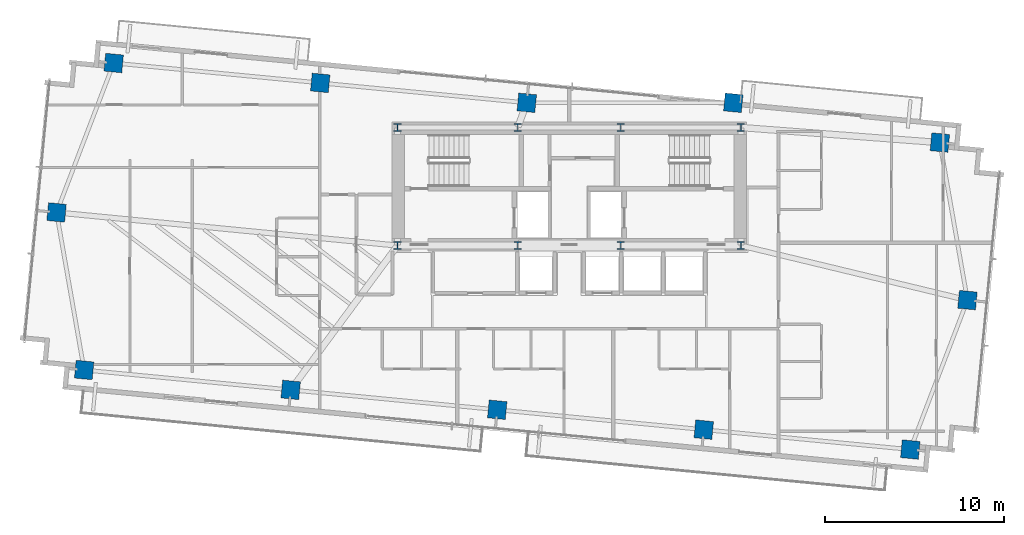
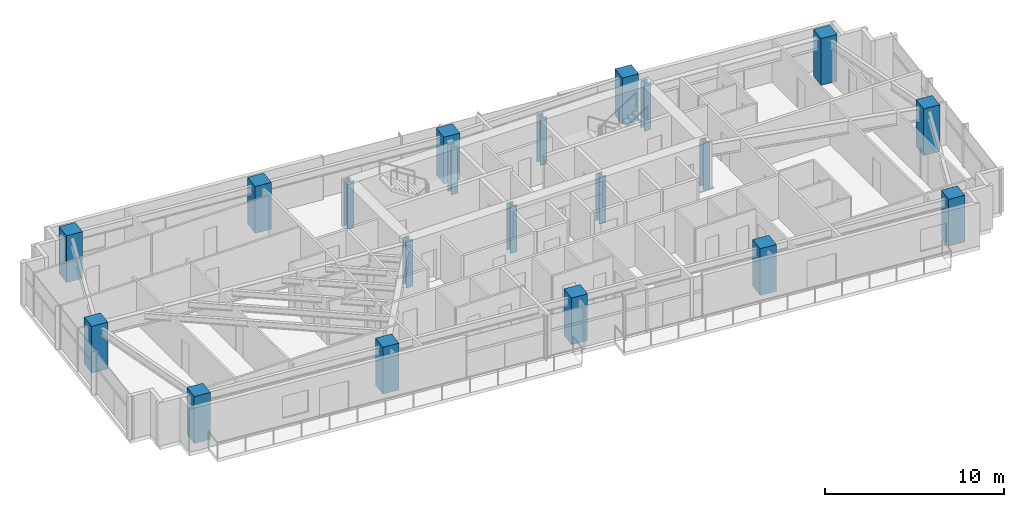
# One storey, part 1 of 19: 20 columns.
"""IFC4 building model written with IfcOpenShell, lengths in metres."""

from ifc_helpers import new_model, si_unit, direction, frame, origin, origin_2d, place, context, subcontext, project, spatial, rectangle, i_section, extrude, source, transform, mapped, material, material_profile, profile_set, type_object, type_shapes, element, save


model = new_model("IFC4")

# Units and contexts
model_context = context("Model", 3, precision=1e-05, world=origin(), true_north=direction((0.0, 1.0)))
body_context = subcontext(model_context, "Body", "Model", "MODEL_VIEW")
ifc_project = project(units=[si_unit("LENGTHUNIT", "METRE"), si_unit("AREAUNIT", "SQUARE_METRE"), si_unit("VOLUMEUNIT", "CUBIC_METRE"), si_unit("PLANEANGLEUNIT", "RADIAN"), si_unit("MASSUNIT", "GRAM", prefix="KILO")], contexts=[model_context])

# Site, building, storey
site_placement = place(None, origin())
site = spatial("IfcSite", under=ifc_project, at=site_placement, CompositionType="ELEMENT")
building_placement = place(site_placement, origin())
building = spatial("IfcBuilding", under=site, at=building_placement, Name="Astriad Promenade Condominiums", CompositionType="ELEMENT")
storey_placement = place(building_placement, frame((0.0, 0.0, 143.800048828125)))
storey = spatial("IfcBuildingStorey", under=building, at=storey_placement, Name="L41", CompositionType="ELEMENT", Elevation=143.800048828125)

# Columns
ifc_material_1 = material(Name="Steel ASTM A992 Grade 50", Category="steel")
ifc_material_profile_1 = material_profile(ifc_material_1, i_section(OverallWidth=0.42138671875, OverallDepth=0.464599609375, WebThickness=0.044921875, FlangeThickness=0.072509765625, FilletRadius=0.017822265625, at=origin_2d()), Name="W14X398")
ifc_profile_set_1 = profile_set([ifc_material_profile_1], Name="Steel ASTM A992 Grade 50")
column_type_1 = type_object("IfcColumnType", Name="STEEL CORE PILASTER W14X398", PredefinedType="PILASTER", material=ifc_profile_set_1)
shared_shape_1 = source(origin(), body_context, "Body", "SweptSolid", [
    extrude(i_section(OverallWidth=0.42138671875, OverallDepth=0.464599609375, WebThickness=0.044921875, FlangeThickness=0.072509765625, FilletRadius=0.017822265625, at=origin_2d()), origin(), (0.0, 0.0, 1.0), 3.196044921875),
])
type_shapes(column_type_1, [shared_shape_1])
for number, where, z_axis, x_axis, name in (
    (1, (26.39990234375, 17.39990234375, 0.001953125), (0.0, 0.0, 1.0), (1.0, 0.0, 0.0), "Core Pilaster Column CP1 (L41)"),
    (2, (33.1201171875, 17.39990234375, 0.001953125), (0.0, 0.0, 1.0), (1.0, 0.0, 0.0), "Core Pilaster Column CP2 (L41)"),
    (3, (38.8798828125, 17.39990234375, 0.001953125), (0.0, 0.0, 1.0), (1.0, 0.0, 0.0), "Core Pilaster Column CP3 (L41)"),
    (4, (45.60009765625, 17.39990234375, 0.001953125), (0.0, 0.0, 1.0), (1.0, 0.0, 0.0), "Core Pilaster Column CP4 (L41)"),
    (5, (26.39990234375, 24.0, 0.001953125), (0.0, 0.0, 1.0), (1.0, 0.0, 0.0), "Core Pilaster Column CP5 (L41)"),
    (6, (33.1201171875, 24.0, 0.001953125), (0.0, 0.0, 1.0), (1.0, 0.0, 0.0), "Core Pilaster Column CP6 (L41)"),
    (7, (38.8798828125, 24.0, 0.001953125), (0.0, 0.0, 1.0), (1.0, 0.0, 0.0), "Core Pilaster Column CP7 (L41)"),
    (8, (45.60009765625, 24.0, 0.001953125), (0.0, 0.0, 1.0), (1.0, 0.0, 0.0), "Core Pilaster Column CP8 (L41)"),
):
    element("IfcColumn", number, at=place(storey_placement, frame(where, z_axis=z_axis, x_axis=x_axis)), inside=storey, type_object=column_type_1, Name=name, PredefinedType="PILASTER", context=body_context, shape_type="MappedRepresentation", body=[
        mapped(shared_shape_1, transform((0.0, 0.0, 0.0), scale=1.0)),
    ])
ifc_material_2 = material(Name="Concrete C60/75", Category="concrete")
ifc_material_profile_2 = material_profile(ifc_material_2, rectangle(XDim=1.0, YDim=1.0, at=origin_2d()), Name="RC-COL-1000X1000")
ifc_profile_set_2 = profile_set([ifc_material_profile_2], Name="Concrete C60/75")
column_type_2 = type_object("IfcColumnType", Name="CONCRETE TOWER COLUMN 1000X1000", PredefinedType="COLUMN", material=ifc_profile_set_2)
shared_shape_2 = source(origin(), body_context, "Body", "SweptSolid", [
    extrude(rectangle(XDim=1.0, YDim=1.0, at=origin_2d()), origin(), (0.0, 0.0, 1.0), 3.196044921875),
])
type_shapes(column_type_2, [shared_shape_2])
for number, where, z_axis, x_axis, name in (
    (9, (8.880615234375, 10.443359375, 0.001953125), (0.0, 0.0, 1.0), (0.995396198367, -0.09584575252, 0.0), "Perimeter Column PC01 (L41)"),
    (10, (20.42724609375, 9.33154296875, 0.001953125), (0.0, 0.0, 1.0), (0.995396198367, -0.09584575252, 0.0), "Perimeter Column PC02 (L41)"),
    (11, (31.973876953125, 8.2197265625, 0.001953125), (0.0, 0.0, 1.0), (0.995396198367, -0.09584575252, 0.0), "Perimeter Column PC03 (L41)"),
    (12, (43.5205078125, 7.10791015625, 0.001953125), (0.0, 0.0, 1.0), (0.995396198367, -0.09584575252, 0.0), "Perimeter Column PC04 (L41)"),
    (13, (55.06689453125, 5.99609375, 0.001953125), (0.0, 0.0, 1.0), (0.995396198367, -0.09584575252, 0.0), "Perimeter Column PC05 (L41)"),
    (14, (10.532958984375, 27.60400390625, 0.001953125), (0.0, 0.0, 1.0), (0.995396198367, -0.09584575252, 0.0), "Perimeter Column PC06 (L41)"),
    (15, (22.07958984375, 26.4921875, 0.001953125), (0.0, 0.0, 1.0), (0.995396198367, -0.09584575252, 0.0), "Perimeter Column PC07 (L41)"),
    (16, (33.626220703125, 25.38037109375, 0.001953125), (0.0, 0.0, 1.0), (0.995396198367, -0.09584575252, 0.0), "Perimeter Column PC08 (L41)"),
    (17, (45.1728515625, 25.3798828125, 0.001953125), (0.0, 0.0, 1.0), (0.995396198367, -0.09584575252, 0.0), "Perimeter Column PC09 (L41)"),
    (18, (56.719482421875, 23.15673828125, 0.001953125), (0.0, 0.0, 1.0), (0.995396198367, -0.09584575252, 0.0), "Perimeter Column PC10 (L41)"),
    (19, (7.337890625, 19.251708984375, 0.001953125), (0.0, 0.0, 1.0), (0.995396198367, -0.09584575252, 0.0), "Perimeter Column PC11 (L41)"),
    (20, (58.26220703125, 14.348388671875, 0.001953125), (0.0, 0.0, 1.0), (0.995396198367, -0.09584575252, 0.0), "Perimeter Column PC12 (L41)"),
):
    element("IfcColumn", number, at=place(storey_placement, frame(where, z_axis=z_axis, x_axis=x_axis)), inside=storey, type_object=column_type_2, Name=name, PredefinedType="COLUMN", context=body_context, shape_type="MappedRepresentation", body=[
        mapped(shared_shape_2, transform((0.0, 0.0, 0.0), scale=1.0)),
    ])

save(model, "model.ifc")
